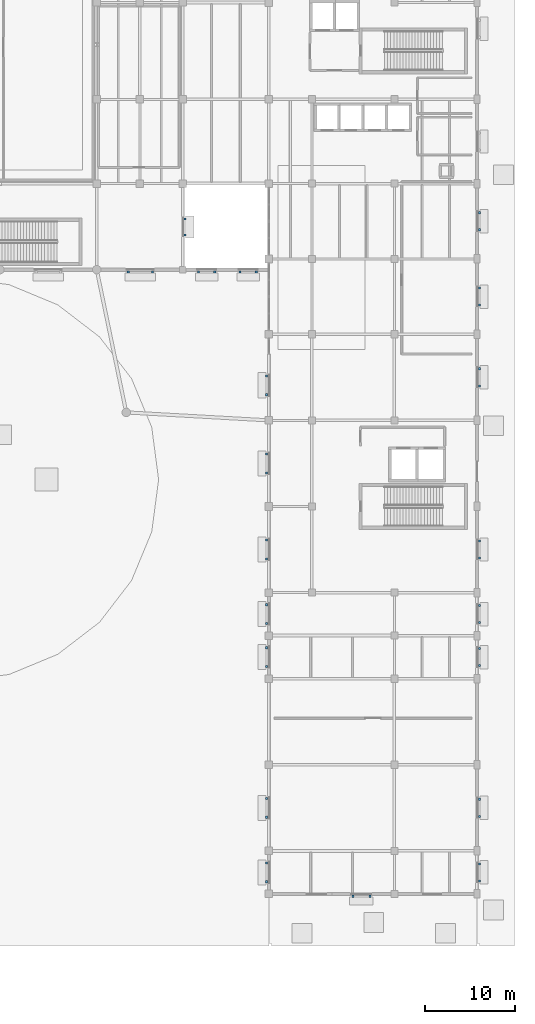
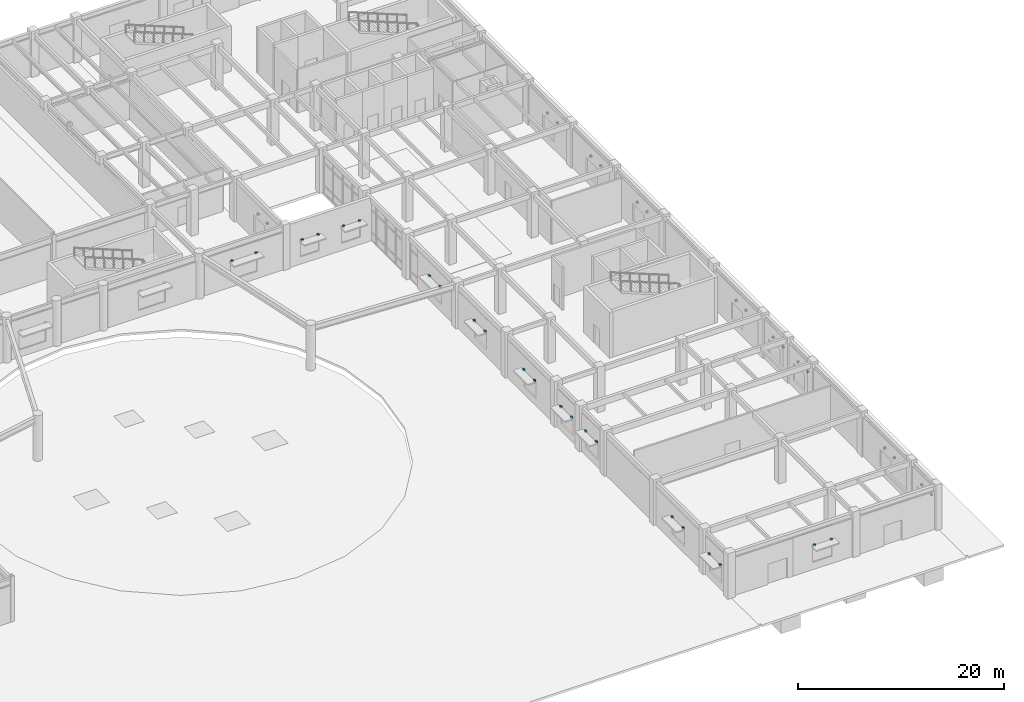
# One storey, part 42 of 54: 40 discrete accessories.
"""IFC4 building model written with IfcOpenShell, lengths in metres."""

from ifc_helpers import new_model, si_unit, direction, frame, origin, origin_2d, place, context, subcontext, project, spatial, rectangle, extrude, material, type_object, element, save


model = new_model("IFC4")

# Units and contexts
model_context = context("Model", 3, precision=1e-05, world=origin(), true_north=direction((0.0, 1.0)))
body_context = subcontext(model_context, "Body", "Model", "MODEL_VIEW")
ifc_project = project(units=[si_unit("LENGTHUNIT", "METRE"), si_unit("AREAUNIT", "SQUARE_METRE"), si_unit("VOLUMEUNIT", "CUBIC_METRE"), si_unit("PLANEANGLEUNIT", "RADIAN"), si_unit("MASSUNIT", "GRAM", prefix="KILO")], contexts=[model_context])

# Site, building, storey
site_placement = place(None, origin())
site = spatial("IfcSite", under=ifc_project, at=site_placement, CompositionType="ELEMENT")
building_placement = place(site_placement, origin())
building = spatial("IfcBuilding", under=site, at=building_placement, Name="Veldera Park Congress Hotel", CompositionType="ELEMENT")
storey_placement = place(building_placement, origin())
storey = spatial("IfcBuildingStorey", under=building, at=storey_placement, Name="L00", CompositionType="ELEMENT", Elevation=0.0)

# Discrete accessories
ifc_material = material(Name="Steel ASTM A992 Gr.50", Category="steel")
discrete_accessory_type = type_object("IfcDiscreteAccessoryType", Name="ACC-BRK160", PredefinedType="BRACKET", material=ifc_material)
for number, where, z_axis, x_axis, name in (
    (1, (51.449951171875, 21.262451171875, 2.77001953125), (0.0, 0.0, 1.0), (0.0, 1.0, 0.0), "Shading Steel Outrigger Bracket 15L"),
    (2, (51.449951171875, 23.0625, 2.77001953125), (0.0, 0.0, 1.0), (0.0, 1.0, 0.0), "Shading Steel Outrigger Bracket 15R"),
    (3, (45.112548828125, 17.1298828125, 3.02001953125), (0.0, 0.0, 1.0), (1.0, 0.0, 0.0), "Shading Steel Outrigger Bracket 21L"),
    (4, (47.8125, 17.1298828125, 3.02001953125), (0.0, 0.0, 1.0), (1.0, 0.0, 0.0), "Shading Steel Outrigger Bracket 21R"),
    (5, (70.15625, -52.469970703125, 2.81982421875), (0.0, 0.0, 1.0), (1.0, 0.0, 0.0), "Shading Steel Outrigger Bracket 81L"),
    (6, (72.05615234375, -52.469970703125, 2.81982421875), (0.0, 0.0, 1.0), (1.0, 0.0, 0.0), "Shading Steel Outrigger Bracket 81R"),
    (7, (84.27001953125, -50.75, 2.81982421875), (0.0, 0.0, 1.0), (0.0, 1.0, 0.0), "Shading Steel Outrigger Bracket 82L"),
    (8, (84.27001953125, -48.85009765625, 2.81982421875), (0.0, 0.0, 1.0), (0.0, 1.0, 0.0), "Shading Steel Outrigger Bracket 82R"),
    (9, (84.27001953125, -43.550048828125, 2.81982421875), (0.0, 0.0, 1.0), (0.0, 1.0, 0.0), "Shading Steel Outrigger Bracket 83L"),
    (10, (84.27001953125, -41.64990234375, 2.81982421875), (0.0, 0.0, 1.0), (0.0, 1.0, 0.0), "Shading Steel Outrigger Bracket 83R"),
    (11, (84.27001953125, -26.75, 2.81982421875), (0.0, 0.0, 1.0), (0.0, 1.0, 0.0), "Shading Steel Outrigger Bracket 84L"),
    (12, (84.27001953125, -24.85009765625, 2.81982421875), (0.0, 0.0, 1.0), (0.0, 1.0, 0.0), "Shading Steel Outrigger Bracket 84R"),
    (13, (84.27001953125, -21.949951171875, 2.81982421875), (0.0, 0.0, 1.0), (0.0, 1.0, 0.0), "Shading Steel Outrigger Bracket 85L"),
    (14, (84.27001953125, -20.050048828125, 2.81982421875), (0.0, 0.0, 1.0), (0.0, 1.0, 0.0), "Shading Steel Outrigger Bracket 85R"),
    (15, (84.27001953125, -14.75, 2.81982421875), (0.0, 0.0, 1.0), (0.0, 1.0, 0.0), "Shading Steel Outrigger Bracket 86L"),
    (16, (84.27001953125, -12.85009765625, 2.81982421875), (0.0, 0.0, 1.0), (0.0, 1.0, 0.0), "Shading Steel Outrigger Bracket 86R"),
    (17, (84.27001953125, 4.449951171875, 2.81982421875), (0.0, 0.0, 1.0), (0.0, 1.0, 0.0), "Shading Steel Outrigger Bracket 87L"),
    (18, (84.27001953125, 6.35009765625, 2.81982421875), (0.0, 0.0, 1.0), (0.0, 1.0, 0.0), "Shading Steel Outrigger Bracket 87R"),
    (19, (84.27001953125, 13.449951171875, 2.81982421875), (0.0, 0.0, 1.0), (0.0, 1.0, 0.0), "Shading Steel Outrigger Bracket 88L"),
    (20, (84.27001953125, 15.35009765625, 2.81982421875), (0.0, 0.0, 1.0), (0.0, 1.0, 0.0), "Shading Steel Outrigger Bracket 88R"),
    (21, (84.27001953125, 21.85009765625, 2.81982421875), (0.0, 0.0, 1.0), (0.0, 1.0, 0.0), "Shading Steel Outrigger Bracket 89L"),
    (22, (84.27001953125, 23.75, 2.81982421875), (0.0, 0.0, 1.0), (0.0, 1.0, 0.0), "Shading Steel Outrigger Bracket 89R"),
    (23, (52.9609375, 17.1298828125, 2.77001953125), (0.0, 0.0, 1.0), (1.0, 0.0, 0.0), "Shading Steel Outrigger Bracket 92L"),
    (24, (54.760986328125, 17.1298828125, 2.77001953125), (0.0, 0.0, 1.0), (1.0, 0.0, 0.0), "Shading Steel Outrigger Bracket 92R"),
    (25, (57.5869140625, 17.1298828125, 2.77001953125), (0.0, 0.0, 1.0), (1.0, 0.0, 0.0), "Shading Steel Outrigger Bracket 93L"),
    (26, (59.386962890625, 17.1298828125, 2.77001953125), (0.0, 0.0, 1.0), (1.0, 0.0, 0.0), "Shading Steel Outrigger Bracket 93R"),
    (27, (60.530029296875, 5.5615234375, 2.8701171875), (0.0, 0.0, 1.0), (0.0, -1.0, 0.0), "Shading Steel Outrigger Bracket 94L"),
    (28, (60.530029296875, 3.46142578125, 2.8701171875), (0.0, 0.0, 1.0), (0.0, -1.0, 0.0), "Shading Steel Outrigger Bracket 94R"),
    (29, (60.530029296875, -3.14990234375, 2.8701171875), (0.0, 0.0, 1.0), (0.0, -1.0, 0.0), "Shading Steel Outrigger Bracket 95L"),
    (30, (60.530029296875, -5.25, 2.8701171875), (0.0, 0.0, 1.0), (0.0, -1.0, 0.0), "Shading Steel Outrigger Bracket 95R"),
    (31, (60.530029296875, -12.75, 2.8701171875), (0.0, 0.0, 1.0), (0.0, -1.0, 0.0), "Shading Steel Outrigger Bracket 96L"),
    (32, (60.530029296875, -14.85009765625, 2.8701171875), (0.0, 0.0, 1.0), (0.0, -1.0, 0.0), "Shading Steel Outrigger Bracket 96R"),
    (33, (60.530029296875, -19.949951171875, 2.8701171875), (0.0, 0.0, 1.0), (0.0, -1.0, 0.0), "Shading Steel Outrigger Bracket 97L"),
    (34, (60.530029296875, -22.050048828125, 2.8701171875), (0.0, 0.0, 1.0), (0.0, -1.0, 0.0), "Shading Steel Outrigger Bracket 97R"),
    (35, (60.530029296875, -24.75, 2.8701171875), (0.0, 0.0, 1.0), (0.0, -1.0, 0.0), "Shading Steel Outrigger Bracket 98L"),
    (36, (60.530029296875, -26.85009765625, 2.8701171875), (0.0, 0.0, 1.0), (0.0, -1.0, 0.0), "Shading Steel Outrigger Bracket 98R"),
    (37, (60.530029296875, -41.550048828125, 2.8701171875), (0.0, 0.0, 1.0), (0.0, -1.0, 0.0), "Shading Steel Outrigger Bracket 99L"),
    (38, (60.530029296875, -43.64990234375, 2.8701171875), (0.0, 0.0, 1.0), (0.0, -1.0, 0.0), "Shading Steel Outrigger Bracket 99R"),
    (39, (60.530029296875, -48.75, 2.8701171875), (0.0, 0.0, 1.0), (0.0, -1.0, 0.0), "Shading Steel Outrigger Bracket 100L"),
    (40, (60.530029296875, -50.85009765625, 2.8701171875), (0.0, 0.0, 1.0), (0.0, -1.0, 0.0), "Shading Steel Outrigger Bracket 100R"),
):
    element("IfcDiscreteAccessory", number, at=place(storey_placement, frame(where, z_axis=z_axis, x_axis=x_axis)), inside=storey, type_object=discrete_accessory_type, Name=name, PredefinedType="BRACKET", context=body_context, shape_type="SweptSolid", body=[
        extrude(rectangle(XDim=0.239990234375, YDim=0.239990234375, at=origin_2d()), origin(), (0.0, 0.0, 1.0), 0.219970703125),
    ])

save(model, "model.ifc")
